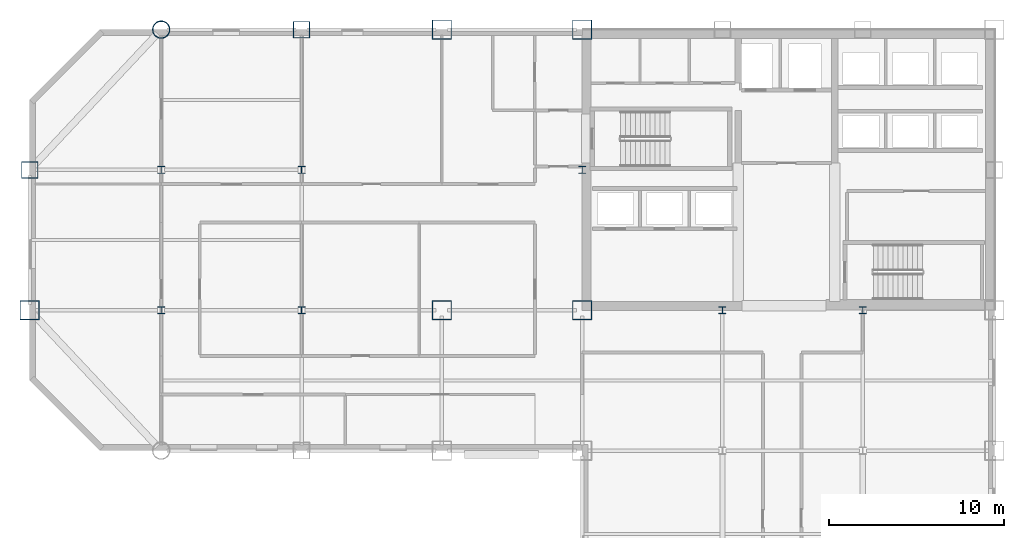
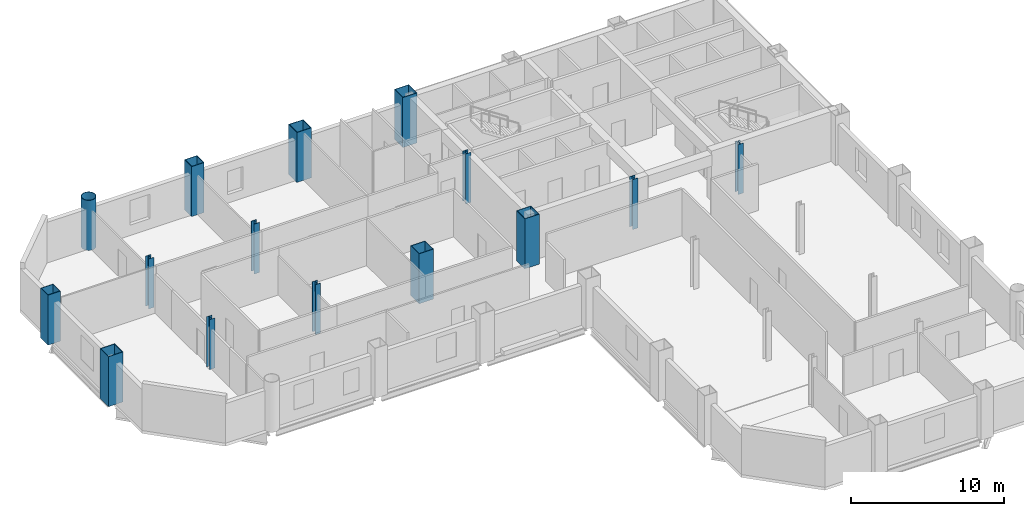
# One storey, part 3 of 10: 15 columns.
"""IFC4 building model written with IfcOpenShell, lengths in metres."""

from ifc_helpers import new_model, si_unit, direction, frame, origin, origin_2d, place, context, subcontext, project, spatial, hollow_rectangle, hollow_circle, i_section, extrude, material, material_profile, profile_set, type_object, element, save


model = new_model("IFC4")

# Units and contexts
model_context = context("Model", 3, precision=1e-05, world=origin(), true_north=direction((0.0, 1.0)))
body_context = subcontext(model_context, "Body", "Model", "MODEL_VIEW")
ifc_project = project(units=[si_unit("LENGTHUNIT", "METRE"), si_unit("AREAUNIT", "SQUARE_METRE"), si_unit("VOLUMEUNIT", "CUBIC_METRE"), si_unit("PLANEANGLEUNIT", "RADIAN"), si_unit("MASSUNIT", "GRAM", prefix="KILO")], contexts=[model_context])

# Site, building, storey
site_placement = place(None, origin())
site = spatial("IfcSite", under=ifc_project, at=site_placement, CompositionType="ELEMENT")
building_placement = place(site_placement, origin())
building = spatial("IfcBuilding", under=site, at=building_placement, Name="Qianrong Seaharbour Tower", CompositionType="ELEMENT")
storey_placement = place(building_placement, frame((0.0, 0.0, 139.0)))
storey = spatial("IfcBuildingStorey", under=building, at=storey_placement, Name="L33", CompositionType="ELEMENT", Elevation=139.0)

# Columns
ifc_material = material(Name="Structural steel SN490B", Category="steel")
ifc_material_profile_1 = material_profile(ifc_material, hollow_rectangle(XDim=1.10009765625, YDim=1.10009765625, WallThickness=0.0400390625, at=origin_2d()), Name="BOX1100x1100x40")
ifc_profile_set_1 = profile_set([ifc_material_profile_1], Name="Structural steel SN490B")
column_type_1 = type_object("IfcColumnType", Name="COL-CFT-1100", PredefinedType="COLUMN", material=ifc_profile_set_1)
for number, where, z_axis, x_axis, name in (
    (1, (9.0, 36.0, 0.0), (0.0, 0.0, 1.0), (1.0, 0.0, 0.0), "L33 Column MC-3 at G2/GF"),
    (2, (32.5, 36.0, 0.0), (0.0, 0.0, 1.0), (1.0, 0.0, 0.0), "L33 Column MC-3 at G5/GF"),
    (3, (32.5, 52.0, 0.0), (0.0, 0.0, 1.0), (1.0, 0.0, 0.0), "L33 Column MC-3 at G5/GH"),
    (4, (40.5, 36.0, 0.0), (0.0, 0.0, 1.0), (1.0, 0.0, 0.0), "L33 Column MC-3 at G6/GF"),
    (5, (40.5, 52.0, 0.0), (0.0, 0.0, 1.0), (1.0, 0.0, 0.0), "L33 Column MC-3 at G6/GH"),
):
    element("IfcColumn", number, at=place(storey_placement, frame(where, z_axis=z_axis, x_axis=x_axis)), inside=storey, type_object=column_type_1, Name=name, PredefinedType="COLUMN", context=body_context, shape_type="SweptSolid", body=[
        extrude(hollow_rectangle(XDim=1.10009765625, YDim=1.10009765625, WallThickness=0.0400390625, at=origin_2d()), origin(), (0.0, 0.0, 1.0), 4.0),
    ])
ifc_material_profile_2 = material_profile(ifc_material, hollow_circle(Radius=0.5, WallThickness=0.035888671875, at=origin_2d()), Name="CHS1000x36")
ifc_profile_set_2 = profile_set([ifc_material_profile_2], Name="Structural steel SN490B")
column_type_2 = type_object("IfcColumnType", Name="COL-CHS-1000", PredefinedType="COLUMN", material=ifc_profile_set_2)
column_placement = place(storey_placement, frame((16.5, 52.0, 0.0), z_axis=(0.0, 0.0, 1.0), x_axis=(1.0, 0.0, 0.0)))
element("IfcColumn", 6, at=column_placement, inside=storey, type_object=column_type_2, Name="L33 Column CC-2 at G3/GH", PredefinedType="COLUMN", context=body_context, shape_type="SweptSolid", body=[
    extrude(hollow_circle(Radius=0.5, WallThickness=0.035888671875, at=origin_2d()), origin(), (0.0, 0.0, 1.0), 4.0),
])
ifc_material_profile_3 = material_profile(ifc_material, i_section(OverallWidth=0.39990234375, OverallDepth=0.39990234375, WebThickness=0.012939453125, FlangeThickness=0.02099609375, FilletRadius=0.02197265625, at=origin_2d()), Name="H400x400x13x21")
ifc_profile_set_3 = profile_set([ifc_material_profile_3], Name="Structural steel SN490B")
column_type_3 = type_object("IfcColumnType", Name="COL-INT-H400", PredefinedType="COLUMN", material=ifc_profile_set_3)
for number, where, z_axis, x_axis, name in (
    (7, (16.5, 36.0, 0.0), (0.0, 0.0, 1.0), (1.0, 0.0, 0.0), "L33 Column IC-3 at G3/GF"),
    (8, (16.5, 44.0, 0.0), (0.0, 0.0, 1.0), (1.0, 0.0, 0.0), "L33 Column IC-3 at G3/GG"),
    (9, (24.5, 36.0, 0.0), (0.0, 0.0, 1.0), (1.0, 0.0, 0.0), "L33 Column IC-3 at G4/GF"),
    (10, (24.5, 44.0, 0.0), (0.0, 0.0, 1.0), (1.0, 0.0, 0.0), "L33 Column IC-3 at G4/GG"),
    (11, (40.5, 44.0, 0.0), (0.0, 0.0, 1.0), (1.0, 0.0, 0.0), "L33 Column IC-3 at G6/GG"),
    (12, (48.5, 36.0, 0.0), (0.0, 0.0, 1.0), (1.0, 0.0, 0.0), "L33 Column IC-3 at G7/GF"),
    (13, (56.5, 36.0, 0.0), (0.0, 0.0, 1.0), (1.0, 0.0, 0.0), "L33 Column IC-3 at G8/GF"),
):
    element("IfcColumn", number, at=place(storey_placement, frame(where, z_axis=z_axis, x_axis=x_axis)), inside=storey, type_object=column_type_3, Name=name, PredefinedType="COLUMN", context=body_context, shape_type="SweptSolid", body=[
        extrude(i_section(OverallWidth=0.39990234375, OverallDepth=0.39990234375, WebThickness=0.012939453125, FlangeThickness=0.02099609375, FilletRadius=0.02197265625, at=origin_2d()), origin(), (0.0, 0.0, 1.0), 4.0),
    ])
ifc_material_profile_4 = material_profile(ifc_material, hollow_rectangle(XDim=0.949951171875, YDim=0.949951171875, WallThickness=0.035888671875, at=origin_2d()), Name="BOX950x950x36")
ifc_profile_set_4 = profile_set([ifc_material_profile_4], Name="Structural steel SN490B")
column_type_4 = type_object("IfcColumnType", Name="COL-PER-950", PredefinedType="COLUMN", material=ifc_profile_set_4)
for number, where, z_axis, x_axis, name in (
    (14, (9.0, 44.0, 0.0), (0.0, 0.0, 1.0), (1.0, 0.0, 0.0), "L33 Column PC-2 at G2/GG"),
    (15, (24.5, 52.0, 0.0), (0.0, 0.0, 1.0), (1.0, 0.0, 0.0), "L33 Column PC-2 at G4/GH"),
):
    element("IfcColumn", number, at=place(storey_placement, frame(where, z_axis=z_axis, x_axis=x_axis)), inside=storey, type_object=column_type_4, Name=name, PredefinedType="COLUMN", context=body_context, shape_type="SweptSolid", body=[
        extrude(hollow_rectangle(XDim=0.949951171875, YDim=0.949951171875, WallThickness=0.035888671875, at=origin_2d()), origin(), (0.0, 0.0, 1.0), 4.0),
    ])

save(model, "model.ifc")
